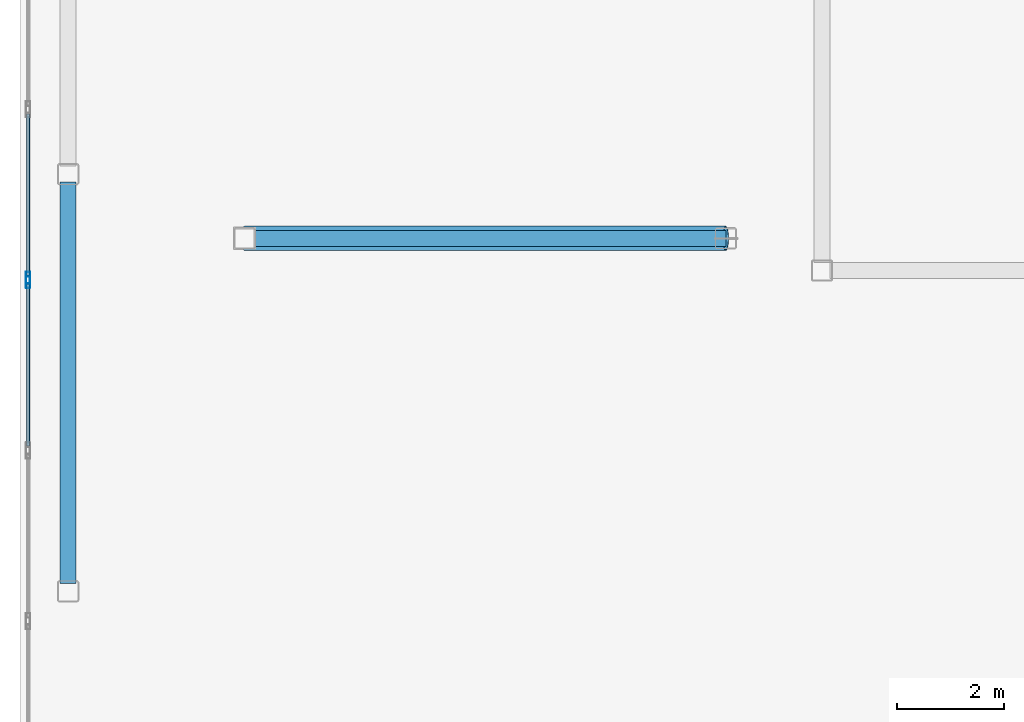
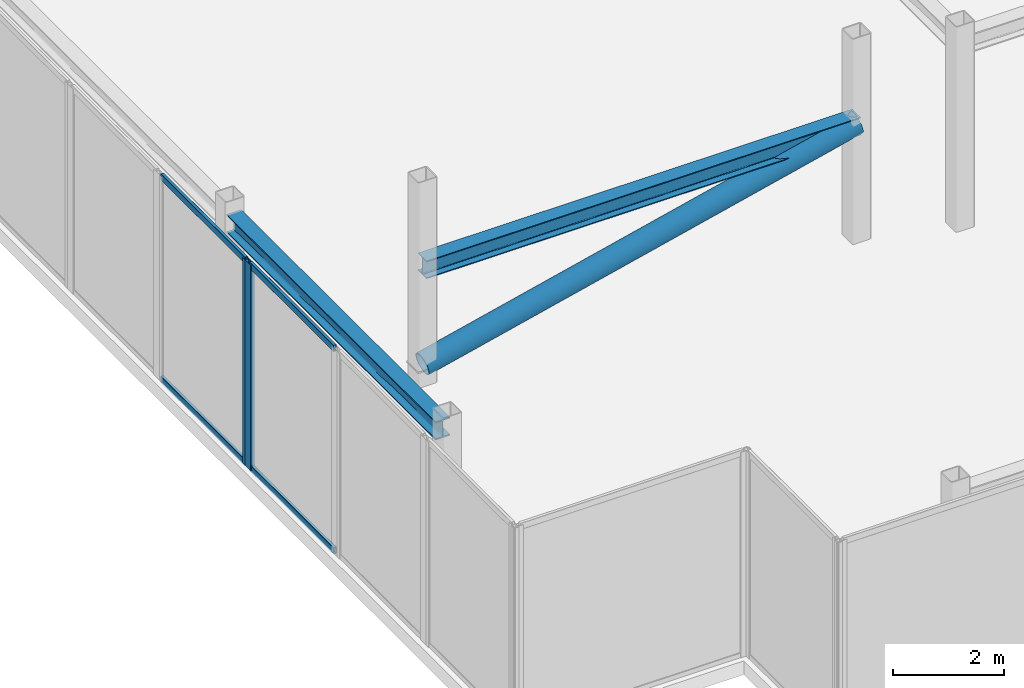
# One storey, part 3 of 14: 7 members, 2 beams, 2 elements without a shape of their own.
"""IFC4 building model written with IfcOpenShell, lengths in metres."""

from ifc_helpers import new_model, si_unit, direction, frame, origin, origin_2d, place, context, subcontext, project, spatial, hollow_rectangle, hollow_circle, i_section, extrude, material, layer, layer_set, material_profile, profile_set, type_object, element, aggregate, save


model = new_model("IFC4")

# Units and contexts
model_context = context("Model", 3, precision=1e-05, world=origin(), true_north=direction((0.0, 1.0)))
body_context = subcontext(model_context, "Body", "Model", "MODEL_VIEW")
ifc_project = project(units=[si_unit("LENGTHUNIT", "METRE"), si_unit("AREAUNIT", "SQUARE_METRE"), si_unit("VOLUMEUNIT", "CUBIC_METRE"), si_unit("PLANEANGLEUNIT", "RADIAN"), si_unit("MASSUNIT", "GRAM", prefix="KILO")], contexts=[model_context])

# Site, building, storey
site_placement = place(None, origin())
site = spatial("IfcSite", under=ifc_project, at=site_placement, CompositionType="ELEMENT")
building_placement = place(site_placement, origin())
building = spatial("IfcBuilding", under=site, at=building_placement, Name="Tarnavaz Court Tower", CompositionType="ELEMENT")
storey_placement = place(building_placement, frame((0.0, 0.0, 286.050048828125)))
storey = spatial("IfcBuildingStorey", under=building, at=storey_placement, Name="C02", CompositionType="ELEMENT", Elevation=286.050048828125)

# Beams
ifc_material_1 = material(Name="Steel S355", Category="steel")
ifc_material_profile_1 = material_profile(ifc_material_1, i_section(OverallWidth=0.300048828125, OverallDepth=0.389892578125, WebThickness=0.010986328125, FlangeThickness=0.01904296875, FilletRadius=0.027099609375, at=origin_2d()), Name="HEA 400")
ifc_profile_set_1 = profile_set([ifc_material_profile_1], Name="Steel S355")
beam_type_1 = type_object("IfcBeamType", Name="BM-CR-IPE300", PredefinedType="USERDEFINED", material=ifc_profile_set_1)
beam_1_placement = place(storey_placement, frame((-18.60009765625, -7.199951171875, 2.5), z_axis=(1.0, 0.0, 0.0), x_axis=(0.0, 1.0, 0.0)))
element("IfcBeam", 1, at=beam_1_placement, inside=storey, type_object=beam_type_1, Name="C02 Crown Frame W Core Tie Beam", ObjectType="CROWN FRAME", PredefinedType="USERDEFINED", context=body_context, shape_type="SweptSolid", body=[
    extrude(i_section(OverallWidth=0.300048828125, OverallDepth=0.389892578125, WebThickness=0.010986328125, FlangeThickness=0.01904296875, FilletRadius=0.027099609375, at=origin_2d()), origin(), (0.0, 0.0, 1.0), 9.0),
])
ifc_material_profile_2 = material_profile(ifc_material_1, i_section(OverallWidth=0.300048828125, OverallDepth=0.39990234375, WebThickness=0.013427734375, FlangeThickness=0.02392578125, FilletRadius=0.027099609375, at=origin_2d()), Name="HEB 400")
ifc_profile_set_2 = profile_set([ifc_material_profile_2], Name="Steel S355")
beam_type_2 = type_object("IfcBeamType", Name="BM-G-HEB400", PredefinedType="USERDEFINED", material=ifc_profile_set_2)
beam_2_placement = place(storey_placement, frame((-21.89990234375, -13.64990234375, 4.0), z_axis=(0.0, 1.0, 0.0), x_axis=(-1.0, 0.0, 0.0)))
element("IfcBeam", 2, at=beam_2_placement, inside=storey, type_object=beam_type_2, Name="C02 Beam CRG-PW-1-PW-2", ObjectType="GIRDER", PredefinedType="USERDEFINED", context=body_context, shape_type="SweptSolid", body=[
    extrude(i_section(OverallWidth=0.300048828125, OverallDepth=0.39990234375, WebThickness=0.013427734375, FlangeThickness=0.02392578125, FilletRadius=0.027099609375, at=origin_2d()), origin(), (0.0, 0.0, 1.0), 7.5),
])

# Curtain wall, member
ifc_material_2 = material(Name="Anodised Aluminium 6063-T6 and Solar Low-E Glazing", Category="aluminium")
ifc_layer = layer(ifc_material_2, 0.2099609375)
ifc_layer_set = layer_set([ifc_layer], Name="Anodised Aluminium 6063-T6 and Solar Low-E Glazing")
curtain_wall_type = type_object("IfcCurtainWallType", Name="CW-SYS-06", PredefinedType="NOTDEFINED", material=ifc_layer_set)
curtain_wall_1_placement = place(storey_placement, origin())
curtain_wall_1 = element("IfcCurtainWall", 3, at=curtain_wall_1_placement, inside=storey, type_object=curtain_wall_type, Name="C02 Slanted Crown Terracotta Curtain Wall 6", PredefinedType="NOTDEFINED")
ifc_material_3 = material(Name="Anodised Aluminium 6063-T6", Category="aluminium")
ifc_material_profile_3 = material_profile(ifc_material_3, hollow_rectangle(XDim=0.0849609375, YDim=0.219970703125, WallThickness=0.006103515625, InnerFilletRadius=0.006103515625, OuterFilletRadius=0.011962890625, at=origin_2d()), Name="ALU RHS 220X85X6")
ifc_profile_set_3 = profile_set([ifc_material_profile_3], Name="Anodised Aluminium 6063-T6")
member_type_1 = type_object("IfcMemberType", Name="CW-MUL-220", PredefinedType="MULLION", material=ifc_profile_set_3)
member_1_placement = place(storey_placement, frame((-22.64990234375, -8.019775390625, 0.0), z_axis=(0.0, 0.0, 1.0), x_axis=(-1.0, 0.0, 0.0)))
member_1 = element("IfcMember", 4, at=member_1_placement, type_object=member_type_1, Name="CW mullion 2", PredefinedType="MULLION", context=body_context, shape_type="SweptSolid", body=[
    extrude(hollow_rectangle(XDim=0.0849609375, YDim=0.219970703125, WallThickness=0.006103515625, InnerFilletRadius=0.006103515625, OuterFilletRadius=0.011962890625, at=origin_2d()), origin(), (0.0, 0.0, 1.0), 4.5),
])

curtain_wall_2_placement = place(storey_placement, origin())
curtain_wall_2 = element("IfcCurtainWall", 5, at=curtain_wall_2_placement, inside=storey, type_object=curtain_wall_type, Name="C02 Slanted Crown Terracotta Curtain Wall 7", PredefinedType="NOTDEFINED")
member_2_placement = place(storey_placement, frame((-22.64990234375, -7.934814453125, 0.0), z_axis=(0.0, 0.0, 1.0), x_axis=(-1.0, 0.0, 0.0)))
member_2 = element("IfcMember", 6, at=member_2_placement, type_object=member_type_1, Name="CW mullion 1", PredefinedType="MULLION", context=body_context, shape_type="SweptSolid", body=[
    extrude(hollow_rectangle(XDim=0.0849609375, YDim=0.219970703125, WallThickness=0.006103515625, InnerFilletRadius=0.006103515625, OuterFilletRadius=0.011962890625, at=origin_2d()), origin(), (0.0, 0.0, 1.0), 4.5),
])

# Member
ifc_material_profile_4 = material_profile(ifc_material_3, hollow_rectangle(XDim=0.06494140625, YDim=0.139892578125, WallThickness=0.00390625, InnerFilletRadius=0.00390625, OuterFilletRadius=0.008056640625, at=origin_2d()), Name="ALU RHS 140X65X4")
ifc_profile_set_4 = profile_set([ifc_material_profile_4], Name="Anodised Aluminium 6063-T6")
member_type_2 = type_object("IfcMemberType", Name="CW-TRN-140", PredefinedType="USERDEFINED", material=ifc_profile_set_4)
member_3_placement = place(storey_placement, frame((-22.64990234375, -11.083251953125, 0.032470703125), z_axis=(0.0, 1.0, 0.0), x_axis=(-1.0, 0.0, 0.0)))
member_3 = element("IfcMember", 7, at=member_3_placement, type_object=member_type_2, Name="CW transom 1.1", ObjectType="TRANSOM", PredefinedType="USERDEFINED", context=body_context, shape_type="SweptSolid", body=[
    extrude(hollow_rectangle(XDim=0.06494140625, YDim=0.139892578125, WallThickness=0.00390625, InnerFilletRadius=0.00390625, OuterFilletRadius=0.008056640625, at=origin_2d()), origin(), (0.0, 0.0, 1.0), 3.02099609375),
])

member_4_placement = place(storey_placement, frame((-22.64990234375, -11.083251953125, 4.467529296875), z_axis=(0.0, 1.0, 0.0), x_axis=(-1.0, 0.0, 0.0)))
member_4 = element("IfcMember", 8, at=member_4_placement, type_object=member_type_2, Name="CW transom 1.2", ObjectType="TRANSOM", PredefinedType="USERDEFINED", context=body_context, shape_type="SweptSolid", body=[
    extrude(hollow_rectangle(XDim=0.06494140625, YDim=0.139892578125, WallThickness=0.00390625, InnerFilletRadius=0.00390625, OuterFilletRadius=0.008056640625, at=origin_2d()), origin(), (0.0, 0.0, 1.0), 3.02099609375),
])

aggregate(curtain_wall_1, [member_1, member_3, member_4])

member_5_placement = place(storey_placement, frame((-22.64990234375, -7.892333984375, 0.032470703125), z_axis=(0.0, 1.0, 0.0), x_axis=(-1.0, 0.0, 0.0)))
member_5 = element("IfcMember", 9, at=member_5_placement, type_object=member_type_2, Name="CW transom 1.1", ObjectType="TRANSOM", PredefinedType="USERDEFINED", context=body_context, shape_type="SweptSolid", body=[
    extrude(hollow_rectangle(XDim=0.06494140625, YDim=0.139892578125, WallThickness=0.00390625, InnerFilletRadius=0.00390625, OuterFilletRadius=0.008056640625, at=origin_2d()), origin(), (0.0, 0.0, 1.0), 3.02099609375),
])

member_6_placement = place(storey_placement, frame((-22.64990234375, -7.892333984375, 4.467529296875), z_axis=(0.0, 1.0, 0.0), x_axis=(-1.0, 0.0, 0.0)))
member_6 = element("IfcMember", 10, at=member_6_placement, type_object=member_type_2, Name="CW transom 1.2", ObjectType="TRANSOM", PredefinedType="USERDEFINED", context=body_context, shape_type="SweptSolid", body=[
    extrude(hollow_rectangle(XDim=0.06494140625, YDim=0.139892578125, WallThickness=0.00390625, InnerFilletRadius=0.00390625, OuterFilletRadius=0.008056640625, at=origin_2d()), origin(), (0.0, 0.0, 1.0), 3.02099609375),
])

aggregate(curtain_wall_2, [member_2, member_5, member_6])

ifc_material_profile_5 = material_profile(ifc_material_1, hollow_circle(Radius=0.228515625, WallThickness=0.02001953125, at=origin_2d()), Name="CHS 457X20")
ifc_profile_set_5 = profile_set([ifc_material_profile_5], Name="Steel S355")
member_type_3 = type_object("IfcMemberType", Name="MB-CR-CHS273", PredefinedType="USERDEFINED", material=ifc_profile_set_5)
member_7_placement = place(storey_placement, frame((-18.60009765625, -7.199951171875, 0.349853515625), z_axis=(0.972628429945, 0.0, 0.232365955472), x_axis=(0.0, 1.0, 0.0)))
element("IfcMember", 11, at=member_7_placement, inside=storey, type_object=member_type_3, Name="C02 Crown Frame W Wind Brace", ObjectType="CROWN FRAME", PredefinedType="USERDEFINED", context=body_context, shape_type="SweptSolid", body=[
    extrude(hollow_circle(Radius=0.228515625, WallThickness=0.02001953125, at=origin_2d()), origin(), (0.0, 0.0, 1.0), 9.253173828125),
])

save(model, "model.ifc")
